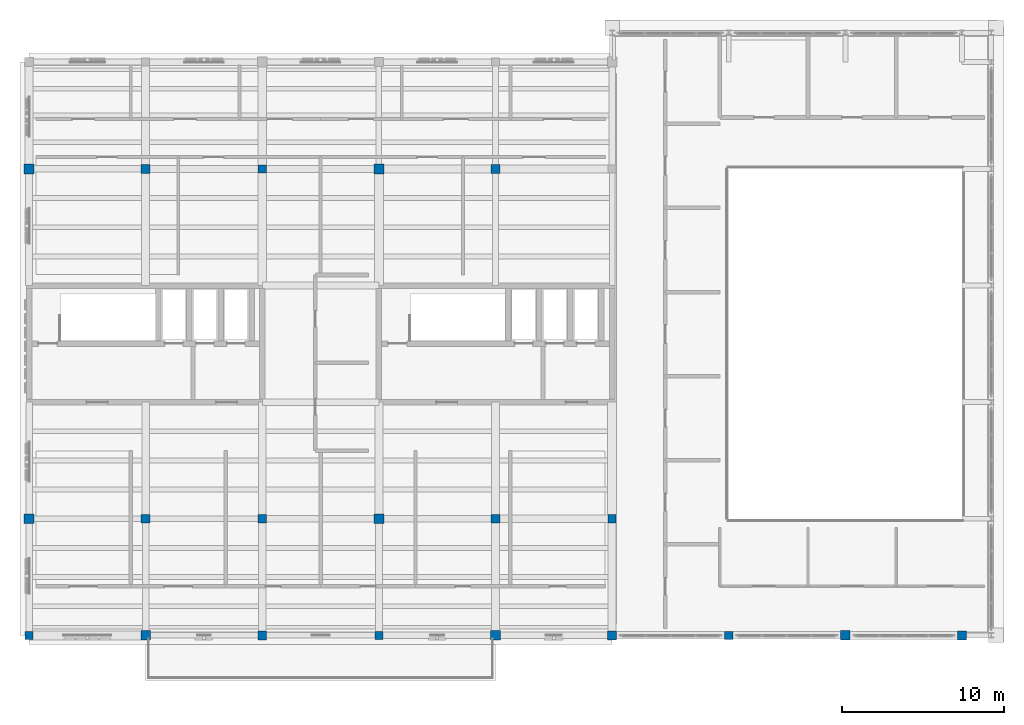
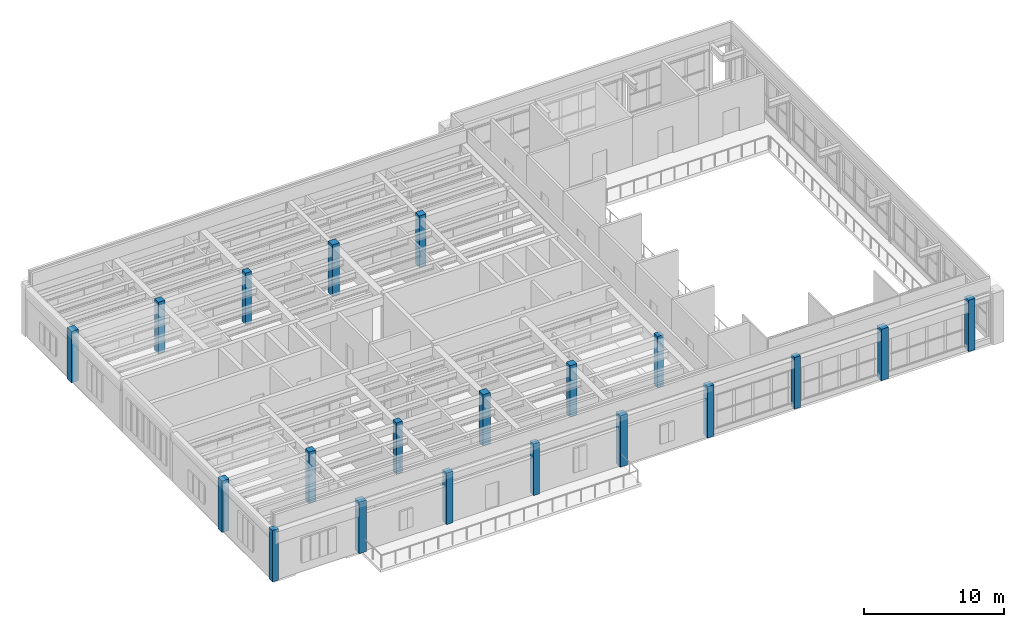
# One storey, part 1 of 18: 20 columns.
"""IFC4 building model written with IfcOpenShell, lengths in metres."""

from ifc_helpers import new_model, si_unit, direction, frame, origin, origin_2d, place, context, subcontext, project, spatial, rectangle, extrude, material, material_profile, profile_set, type_object, element, save


model = new_model("IFC4")

# Units and contexts
model_context = context("Model", 3, precision=1e-05, world=origin(), true_north=direction((0.0, 1.0)))
body_context = subcontext(model_context, "Body", "Model", "MODEL_VIEW")
ifc_project = project(units=[si_unit("LENGTHUNIT", "METRE"), si_unit("AREAUNIT", "SQUARE_METRE"), si_unit("VOLUMEUNIT", "CUBIC_METRE"), si_unit("PLANEANGLEUNIT", "RADIAN"), si_unit("MASSUNIT", "GRAM", prefix="KILO")], contexts=[model_context])

# Site, building, storey
site_placement = place(None, origin())
site = spatial("IfcSite", under=ifc_project, at=site_placement, CompositionType="ELEMENT")
building_placement = place(site_placement, origin())
building = spatial("IfcBuilding", under=site, at=building_placement, Name="Mithqara Police Headquarters", CompositionType="ELEMENT")
storey_placement = place(building_placement, frame((0.0, 0.0, 30.89990234375)))
storey = spatial("IfcBuildingStorey", under=building, at=storey_placement, Name="L07", CompositionType="ELEMENT", Elevation=30.89990234375)

# Columns
ifc_material = material(Name="Concrete C50/60", Category="concrete")
ifc_material_profile_1 = material_profile(ifc_material, rectangle(XDim=0.5, YDim=0.5, at=origin_2d()), Name="RC 500x500")
ifc_profile_set_1 = profile_set([ifc_material_profile_1], Name="Concrete C50/60")
column_type_1 = type_object("IfcColumnType", Name="COLUMN RC500", PredefinedType="COLUMN", material=ifc_profile_set_1)
for number, where, z_axis, x_axis, name in (
    (1, (108.60009765625, 78.60009765625, 0.0), (0.0, 0.0, 1.0), (1.0, 0.0, 0.0), "L07 Column 16/M"),
    (2, (123.0, 85.800048828125, 0.0), (0.0, 0.0, 1.0), (1.0, 0.0, 0.0), "L07 Column 18/N"),
    (3, (123.0, 107.39990234375, 0.0), (0.0, 0.0, 1.0), (1.0, 0.0, 0.0), "L07 Column 18/R"),
    (4, (130.199951171875, 78.60009765625, 0.0), (0.0, 0.0, 1.0), (1.0, 0.0, 0.0), "L07 Column 19/M"),
    (5, (144.60009765625, 85.800048828125, 0.0), (0.0, 0.0, 1.0), (1.0, 0.0, 0.0), "L07 Column 21/N"),
    (6, (151.800048828125, 78.60009765625, 0.0), (0.0, 0.0, 1.0), (1.0, 0.0, 0.0), "L07 Column 22/M"),
):
    element("IfcColumn", number, at=place(storey_placement, frame(where, z_axis=z_axis, x_axis=x_axis)), inside=storey, type_object=column_type_1, Name=name, PredefinedType="COLUMN", context=body_context, shape_type="SweptSolid", body=[
        extrude(rectangle(XDim=0.5, YDim=0.5, at=origin_2d()), origin(), (0.0, 0.0, 1.0), 4.5),
    ])
ifc_material_profile_2 = material_profile(ifc_material, rectangle(XDim=0.550048828125, YDim=0.550048828125, at=origin_2d()), Name="RC 550x550")
ifc_profile_set_2 = profile_set([ifc_material_profile_2], Name="Concrete C50/60")
column_type_2 = type_object("IfcColumnType", Name="COLUMN RC550", PredefinedType="COLUMN", material=ifc_profile_set_2)
for number, where, z_axis, x_axis, name in (
    (7, (115.800048828125, 85.800048828125, 0.0), (0.0, 0.0, 1.0), (1.0, 0.0, 0.0), "L07 Column 17/N"),
    (8, (115.800048828125, 107.39990234375, 0.0), (0.0, 0.0, 1.0), (1.0, 0.0, 0.0), "L07 Column 17/R"),
    (9, (123.0, 78.60009765625, 0.0), (0.0, 0.0, 1.0), (1.0, 0.0, 0.0), "L07 Column 18/M"),
    (10, (137.39990234375, 85.800048828125, 0.0), (0.0, 0.0, 1.0), (1.0, 0.0, 0.0), "L07 Column 20/N"),
    (11, (137.39990234375, 107.39990234375, 0.0), (0.0, 0.0, 1.0), (1.0, 0.0, 0.0), "L07 Column 20/R"),
    (12, (144.60009765625, 78.60009765625, 0.0), (0.0, 0.0, 1.0), (1.0, 0.0, 0.0), "L07 Column 21/M"),
    (13, (166.199951171875, 78.60009765625, 0.0), (0.0, 0.0, 1.0), (1.0, 0.0, 0.0), "L07 Column 24/M"),
):
    element("IfcColumn", number, at=place(storey_placement, frame(where, z_axis=z_axis, x_axis=x_axis)), inside=storey, type_object=column_type_2, Name=name, PredefinedType="COLUMN", context=body_context, shape_type="SweptSolid", body=[
        extrude(rectangle(XDim=0.550048828125, YDim=0.550048828125, at=origin_2d()), origin(), (0.0, 0.0, 1.0), 4.5),
    ])
ifc_material_profile_3 = material_profile(ifc_material, rectangle(XDim=0.60009765625, YDim=0.60009765625, at=origin_2d()), Name="RC 600x600")
ifc_profile_set_3 = profile_set([ifc_material_profile_3], Name="Concrete C50/60")
column_type_3 = type_object("IfcColumnType", Name="COLUMN RC600", PredefinedType="COLUMN", material=ifc_profile_set_3)
for number, where, z_axis, x_axis, name in (
    (14, (108.60009765625, 85.800048828125, 0.0), (0.0, 0.0, 1.0), (1.0, 0.0, 0.0), "L07 Column 16/N"),
    (15, (108.60009765625, 107.39990234375, 0.0), (0.0, 0.0, 1.0), (1.0, 0.0, 0.0), "L07 Column 16/R"),
    (16, (115.800048828125, 78.60009765625, 0.0), (0.0, 0.0, 1.0), (1.0, 0.0, 0.0), "L07 Column 17/M"),
    (17, (130.199951171875, 85.800048828125, 0.0), (0.0, 0.0, 1.0), (1.0, 0.0, 0.0), "L07 Column 19/N"),
    (18, (130.199951171875, 107.39990234375, 0.0), (0.0, 0.0, 1.0), (1.0, 0.0, 0.0), "L07 Column 19/R"),
    (19, (137.39990234375, 78.60009765625, 0.0), (0.0, 0.0, 1.0), (1.0, 0.0, 0.0), "L07 Column 20/M"),
    (20, (159.0, 78.60009765625, 0.0), (0.0, 0.0, 1.0), (1.0, 0.0, 0.0), "L07 Column 23/M"),
):
    element("IfcColumn", number, at=place(storey_placement, frame(where, z_axis=z_axis, x_axis=x_axis)), inside=storey, type_object=column_type_3, Name=name, PredefinedType="COLUMN", context=body_context, shape_type="SweptSolid", body=[
        extrude(rectangle(XDim=0.60009765625, YDim=0.60009765625, at=origin_2d()), origin(), (0.0, 0.0, 1.0), 4.5),
    ])

save(model, "model.ifc")
